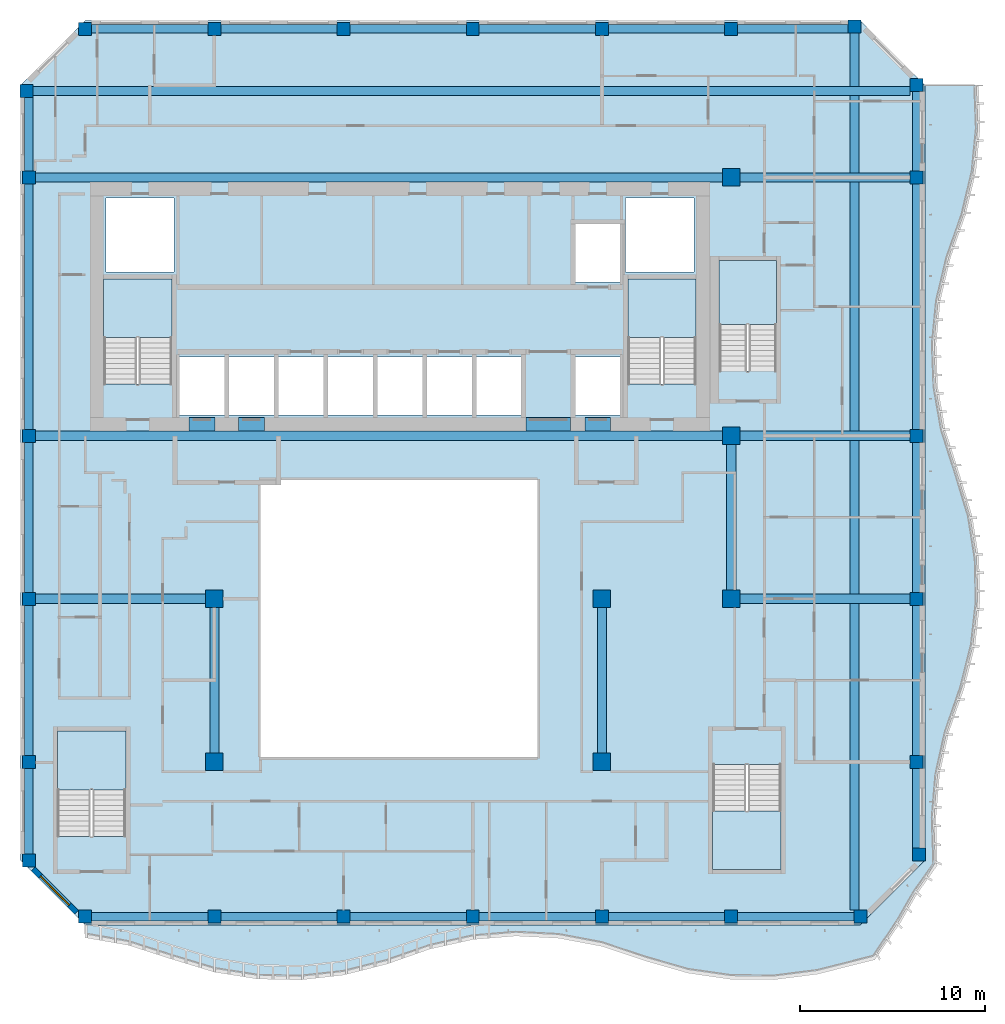
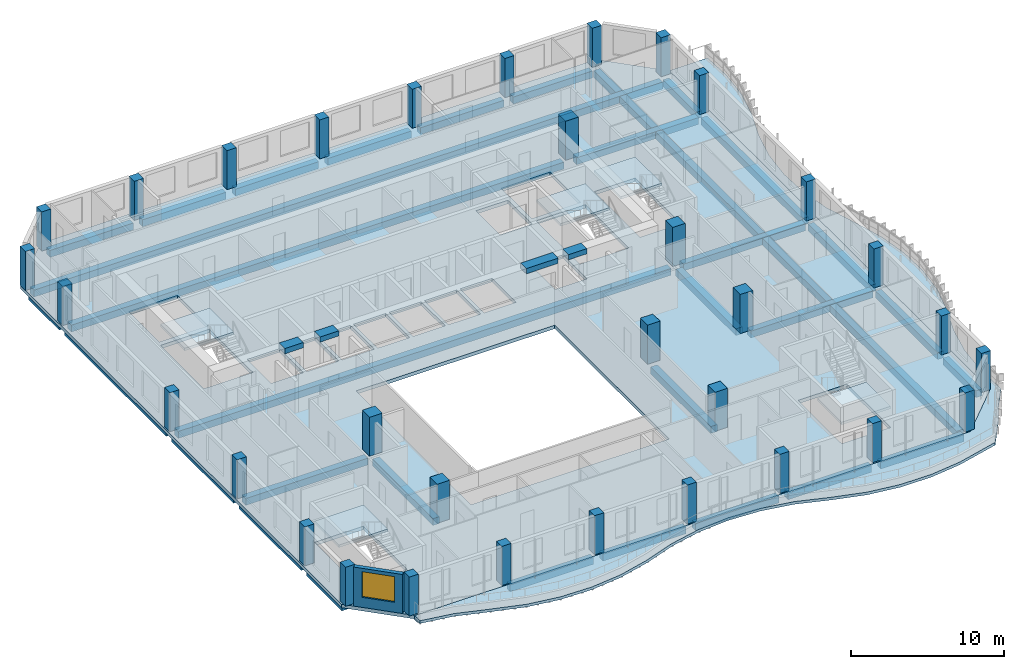
# One storey, part 1 of 19: 37 beams, 33 columns, 7 slabs, 1 wall, 1 window, 1 opening, 5 elements without a shape of their own.
"""IFC4 building model written with IfcOpenShell, lengths in metres."""

from ifc_helpers import new_model, si_unit, direction, frame, frame_2d, origin, origin_2d, place, context, subcontext, project, spatial, polyline, rectangle, outline, extrude, source, transform, mapped, material, layer, layer_set, material_profile, profile_set, type_object, element, fill, aggregate, save


model = new_model("IFC4")

# Units and contexts
model_context = context("Model", 3, precision=1e-05, world=origin(), true_north=direction((0.0, 1.0)))
body_context = subcontext(model_context, "Body", "Model", "MODEL_VIEW")
ifc_project = project(units=[si_unit("LENGTHUNIT", "METRE"), si_unit("AREAUNIT", "SQUARE_METRE"), si_unit("VOLUMEUNIT", "CUBIC_METRE"), si_unit("PLANEANGLEUNIT", "RADIAN"), si_unit("MASSUNIT", "GRAM", prefix="KILO")], contexts=[model_context])

# Site, building, storey
site_placement = place(None, origin())
site = spatial("IfcSite", under=ifc_project, at=site_placement, CompositionType="ELEMENT")
building_placement = place(site_placement, origin())
building = spatial("IfcBuilding", under=site, at=building_placement, Name="Kilnfold Tower and Market Hall", CompositionType="ELEMENT")
storey_placement = place(building_placement, frame((0.0, 0.0, 242.39990234375)))
storey = spatial("IfcBuildingStorey", under=building, at=storey_placement, Name="L58", CompositionType="ELEMENT", Elevation=242.39990234375)

# Columns
ifc_material_1 = material(Name="Concrete C60", Category="concrete")
ifc_material_profile_1 = material_profile(ifc_material_1, rectangle(XDim=0.699951171875, YDim=0.699951171875, at=origin_2d()), Name="RC 700x700")
ifc_profile_set_1 = profile_set([ifc_material_profile_1], Name="Concrete C60")
column_type_1 = type_object("IfcColumnType", Name="COLUMN 700X700 C60", PredefinedType="COLUMN", material=ifc_profile_set_1)
shared_shape_1 = source(origin(), body_context, "Body", "SweptSolid", [
    extrude(rectangle(XDim=0.699951171875, YDim=0.699951171875, at=origin_2d()), origin(), (0.0, 0.0, 1.0), 3.1201171875),
])
for number, where, z_axis, x_axis, name in (
    (1, (-19.181884765625, 26.681884765625, 0.0), (0.0, 0.0, 1.0), (1.0, 0.0, 0.0), "Column C-B7-1G"),
    (2, (-19.050048828125, -15.0, 0.0), (0.0, 0.0, 1.0), (1.0, 0.0, 0.0), "Column C-B7-1B"),
    (3, (-19.050048828125, -9.666748046875, 0.0), (0.0, 0.0, 1.0), (1.0, 0.0, 0.0), "Column C-B7-1C"),
    (4, (-19.050048828125, -0.833251953125, 0.0), (0.0, 0.0, 1.0), (1.0, 0.0, 0.0), "Column C-B7-1D"),
    (5, (-19.050048828125, 8.0, 0.0), (0.0, 0.0, 1.0), (1.0, 0.0, 0.0), "Column C-B7-1E"),
    (6, (-19.050048828125, 22.0, 0.0), (0.0, 0.0, 1.0), (1.0, 0.0, 0.0), "Column C-B7-1F"),
    (7, (-16.0, -18.050048828125, 0.0), (0.0, 0.0, 1.0), (1.0, 0.0, 0.0), "Column C-B7-2A"),
    (8, (-16.0, 30.050048828125, 0.0), (0.0, 0.0, 1.0), (1.0, 0.0, 0.0), "Column C-B7-2H"),
    (9, (-9.0, -18.050048828125, 0.0), (0.0, 0.0, 1.0), (1.0, 0.0, 0.0), "Column C-B7-3A"),
    (10, (-9.0, 30.050048828125, 0.0), (0.0, 0.0, 1.0), (1.0, 0.0, 0.0), "Column C-B7-3H"),
    (11, (-2.0, -18.050048828125, 0.0), (0.0, 0.0, 1.0), (1.0, 0.0, 0.0), "Column C-B7-4A"),
    (12, (-2.0, 30.050048828125, 0.0), (0.0, 0.0, 1.0), (1.0, 0.0, 0.0), "Column C-B7-4H"),
    (13, (5.0, -18.050048828125, 0.0), (0.0, 0.0, 1.0), (1.0, 0.0, 0.0), "Column C-B7-5A"),
    (14, (5.0, 30.050048828125, 0.0), (0.0, 0.0, 1.0), (1.0, 0.0, 0.0), "Column C-B7-5H"),
    (15, (12.0, -18.050048828125, 0.0), (0.0, 0.0, 1.0), (1.0, 0.0, 0.0), "Column C-B7-6A"),
    (16, (12.0, 30.050048828125, 0.0), (0.0, 0.0, 1.0), (1.0, 0.0, 0.0), "Column C-B7-6H"),
    (17, (19.0, -18.050048828125, 0.0), (0.0, 0.0, 1.0), (1.0, 0.0, 0.0), "Column C-B7-7A"),
    (18, (19.0, 30.050048828125, 0.0), (0.0, 0.0, 1.0), (1.0, 0.0, 0.0), "Column C-B7-7H"),
    (19, (25.681884765625, 30.181884765625, 0.0), (0.0, 0.0, 1.0), (1.0, 0.0, 0.0), "Column C-B7-8H"),
    (20, (26.0, -18.050048828125, 0.0), (0.0, 0.0, 1.0), (1.0, 0.0, 0.0), "Column C-B7-8A"),
    (21, (29.050048828125, -9.666748046875, 0.0), (0.0, 0.0, 1.0), (1.0, 0.0, 0.0), "Column C-B7-9C"),
    (22, (29.050048828125, -0.833251953125, 0.0), (0.0, 0.0, 1.0), (1.0, 0.0, 0.0), "Column C-B7-9D"),
    (23, (29.050048828125, 8.0, 0.0), (0.0, 0.0, 1.0), (1.0, 0.0, 0.0), "Column C-B7-9E"),
    (24, (29.050048828125, 22.0, 0.0), (0.0, 0.0, 1.0), (1.0, 0.0, 0.0), "Column C-B7-9F"),
    (25, (29.050048828125, 27.0, 0.0), (0.0, 0.0, 1.0), (1.0, 0.0, 0.0), "Column C-B7-9G"),
    (26, (29.181884765625, -14.681884765625, 0.0), (0.0, 0.0, 1.0), (1.0, 0.0, 0.0), "Column C-B7-9B"),
):
    element("IfcColumn", number, at=place(storey_placement, frame(where, z_axis=z_axis, x_axis=x_axis)), inside=storey, type_object=column_type_1, Name=name, PredefinedType="COLUMN", context=body_context, shape_type="MappedRepresentation", body=[
        mapped(shared_shape_1, transform((0.0, 0.0, 0.0))),
    ])
ifc_material_2 = material(Name="Concrete C60", Category="concrete")
ifc_material_profile_2 = material_profile(ifc_material_2, rectangle(XDim=0.949951171875, YDim=0.949951171875, at=origin_2d()), Name="RC 950x950")
ifc_profile_set_2 = profile_set([ifc_material_profile_2], Name="Concrete C60")
column_type_2 = type_object("IfcColumnType", Name="COLUMN 950X950 C60", PredefinedType="COLUMN", material=ifc_profile_set_2)
shared_shape_2 = source(origin(), body_context, "Body", "SweptSolid", [
    extrude(rectangle(XDim=0.949951171875, YDim=0.949951171875, at=origin_2d()), origin(), (0.0, 0.0, 1.0), 3.1201171875),
])
for number, where, z_axis, x_axis, name in (
    (27, (-9.0, -9.666748046875, 0.0), (0.0, 0.0, 1.0), (1.0, 0.0, 0.0), "Column C-B7-3C"),
    (28, (-9.0, -0.833251953125, 0.0), (0.0, 0.0, 1.0), (1.0, 0.0, 0.0), "Column C-B7-3D"),
    (29, (12.0, -9.666748046875, 0.0), (0.0, 0.0, 1.0), (1.0, 0.0, 0.0), "Column C-B7-6C"),
    (30, (12.0, -0.833251953125, 0.0), (0.0, 0.0, 1.0), (1.0, 0.0, 0.0), "Column C-B7-6D"),
    (31, (19.0, -0.833251953125, 0.0), (0.0, 0.0, 1.0), (1.0, 0.0, 0.0), "Column C-B7-7D"),
    (32, (19.0, 8.0, 0.0), (0.0, 0.0, 1.0), (1.0, 0.0, 0.0), "Column C-B7-7E"),
    (33, (19.0, 22.0, 0.0), (0.0, 0.0, 1.0), (1.0, 0.0, 0.0), "Column C-B7-7F"),
):
    element("IfcColumn", number, at=place(storey_placement, frame(where, z_axis=z_axis, x_axis=x_axis)), inside=storey, type_object=column_type_2, Name=name, PredefinedType="COLUMN", context=body_context, shape_type="MappedRepresentation", body=[
        mapped(shared_shape_2, transform((0.0, 0.0, 0.0))),
    ])

# Beams
ifc_material_3 = material(Name="Concrete C60", Category="concrete")
ifc_material_profile_3 = material_profile(ifc_material_3, rectangle(XDim=0.75, YDim=0.419921875, at=origin_2d()), Name="RC 750x420")
ifc_profile_set_3 = profile_set([ifc_material_profile_3], Name="Concrete C60")
beam_type_1 = type_object("IfcBeamType", Name="COUPLING BEAM 750X420 C60", PredefinedType="BEAM", material=ifc_profile_set_3)
shared_shape_3 = source(origin(), body_context, "Body", "SweptSolid", [
    extrude(rectangle(XDim=0.75, YDim=0.419921875, at=origin_2d()), origin(), (0.0, 0.0, 1.0), 1.400146484375),
])
beam_1_placement = place(storey_placement, frame((-10.3701171875, 8.625, 2.91015625), z_axis=(1.0, 0.0, 0.0), x_axis=(0.0, 1.0, 0.0)))
element("IfcBeam", 34, at=beam_1_placement, inside=storey, type_object=beam_type_1, Name="Coupling beam CB420-60-CORE.34", PredefinedType="BEAM", context=body_context, shape_type="MappedRepresentation", body=[
    mapped(shared_shape_3, transform((0.0, 0.0, 0.0))),
])
shared_shape_4 = source(origin(), body_context, "Body", "SweptSolid", [
    extrude(rectangle(XDim=0.75, YDim=0.419921875, at=origin_2d()), origin(), (0.0, 0.0, 1.0), 1.39990234375),
])
for number, where, z_axis, x_axis, name in (
    (35, (-7.68994140625, 8.625, 2.91015625), (1.0, 0.0, 0.0), (0.0, 1.0, 0.0), "Coupling beam CB420-60-CORE.35"),
    (36, (11.070068359375, 8.625, 2.91015625), (1.0, 0.0, 0.0), (0.0, 1.0, 0.0), "Coupling beam CB420-60-CORE.37"),
):
    element("IfcBeam", number, at=place(storey_placement, frame(where, z_axis=z_axis, x_axis=x_axis)), inside=storey, type_object=beam_type_1, Name=name, PredefinedType="BEAM", context=body_context, shape_type="MappedRepresentation", body=[
        mapped(shared_shape_4, transform((0.0, 0.0, 0.0))),
    ])
shared_shape_5 = source(origin(), body_context, "Body", "SweptSolid", [
    extrude(rectangle(XDim=0.75, YDim=0.419921875, at=origin_2d()), origin(), (0.0, 0.0, 1.0), 2.400146484375),
])
beam_2_placement = place(storey_placement, frame((7.889892578125, 8.625, 2.91015625), z_axis=(1.0, 0.0, 0.0), x_axis=(0.0, 1.0, 0.0)))
element("IfcBeam", 37, at=beam_2_placement, inside=storey, type_object=beam_type_1, Name="Coupling beam CB420-60-CORE.36", PredefinedType="BEAM", context=body_context, shape_type="MappedRepresentation", body=[
    mapped(shared_shape_5, transform((0.0, 0.0, 0.0))),
])
ifc_material_4 = material(Name="Concrete C45", Category="concrete")
ifc_material_profile_4 = material_profile(ifc_material_4, rectangle(XDim=0.449951171875, YDim=0.550048828125, at=origin_2d()), Name="RC 450x550")
ifc_profile_set_4 = profile_set([ifc_material_profile_4], Name="Concrete C45")
beam_type_2 = type_object("IfcBeamType", Name="EDGE BEAM 450X550 C45", PredefinedType="BEAM", material=ifc_profile_set_4)
shared_shape_6 = source(origin(), body_context, "Body", "SweptSolid", [
    extrude(rectangle(XDim=0.449951171875, YDim=0.550048828125, at=origin_2d()), origin(), (0.0, 0.0, 1.0), 13.2998046875),
])
for number, where, z_axis, x_axis, name in (
    (38, (-19.050048828125, 8.35009765625, -0.554931640625), (0.0, 1.0, 0.0), (-1.0, 0.0, 0.0), "Beam EB550-B7.50"),
    (39, (29.050048828125, 8.35009765625, -0.554931640625), (0.0, 1.0, 0.0), (-1.0, 0.0, 0.0), "Beam EB550-B7.58"),
):
    element("IfcBeam", number, at=place(storey_placement, frame(where, z_axis=z_axis, x_axis=x_axis)), inside=storey, type_object=beam_type_2, Name=name, PredefinedType="BEAM", context=body_context, shape_type="MappedRepresentation", body=[
        mapped(shared_shape_6, transform((0.0, 0.0, 0.0))),
    ])
shared_shape_7 = source(origin(), body_context, "Body", "SweptSolid", [
    extrude(rectangle(XDim=0.449951171875, YDim=0.550048828125, at=origin_2d()), origin(), (0.0, 0.0, 1.0), 6.2998046875),
])
for number, where, z_axis, x_axis, name in (
    (40, (-15.64990234375, -18.050048828125, -0.554931640625), (1.0, 0.0, 0.0), (0.0, 1.0, 0.0), "Beam EB550-B7.59"),
    (41, (-8.64990234375, -18.050048828125, -0.554931640625), (1.0, 0.0, 0.0), (0.0, 1.0, 0.0), "Beam EB550-B7.60"),
    (42, (-1.64990234375, -18.050048828125, -0.554931640625), (1.0, 0.0, 0.0), (0.0, 1.0, 0.0), "Beam EB550-B7.61"),
    (43, (5.35009765625, -18.050048828125, -0.554931640625), (1.0, 0.0, 0.0), (0.0, 1.0, 0.0), "Beam EB550-B7.62"),
    (44, (12.35009765625, -18.050048828125, -0.554931640625), (1.0, 0.0, 0.0), (0.0, 1.0, 0.0), "Beam EB550-B7.63"),
    (45, (19.35009765625, -18.050048828125, -0.554931640625), (1.0, 0.0, 0.0), (0.0, 1.0, 0.0), "Beam EB550-B7.64"),
    (46, (-15.64990234375, 30.050048828125, -0.554931640625), (1.0, 0.0, 0.0), (0.0, 1.0, 0.0), "Beam EB550-B7.72"),
    (47, (-8.64990234375, 30.050048828125, -0.554931640625), (1.0, 0.0, 0.0), (0.0, 1.0, 0.0), "Beam EB550-B7.73"),
    (48, (-1.64990234375, 30.050048828125, -0.554931640625), (1.0, 0.0, 0.0), (0.0, 1.0, 0.0), "Beam EB550-B7.74"),
    (49, (5.35009765625, 30.050048828125, -0.554931640625), (1.0, 0.0, 0.0), (0.0, 1.0, 0.0), "Beam EB550-B7.75"),
    (50, (12.35009765625, 30.050048828125, -0.554931640625), (1.0, 0.0, 0.0), (0.0, 1.0, 0.0), "Beam EB550-B7.76"),
):
    element("IfcBeam", number, at=place(storey_placement, frame(where, z_axis=z_axis, x_axis=x_axis)), inside=storey, type_object=beam_type_2, Name=name, PredefinedType="BEAM", context=body_context, shape_type="MappedRepresentation", body=[
        mapped(shared_shape_7, transform((0.0, 0.0, 0.0))),
    ])
ifc_material_5 = material(Name="Concrete C45", Category="concrete")
ifc_material_profile_5 = material_profile(ifc_material_5, rectangle(XDim=0.5, YDim=0.550048828125, at=origin_2d()), Name="RC 500x550")
ifc_profile_set_5 = profile_set([ifc_material_profile_5], Name="Concrete C45")
beam_type_3 = type_object("IfcBeamType", Name="BEAM 500X550 C45", PredefinedType="BEAM", material=ifc_profile_set_5)
shared_shape_8 = source(origin(), body_context, "Body", "SweptSolid", [
    extrude(rectangle(XDim=0.5, YDim=0.550048828125, at=origin_2d()), origin(), (0.0, 0.0, 1.0), 9.224853515625),
])
for number, where, z_axis, x_axis, name in (
    (51, (-18.699951171875, -0.830078125, -0.554931640625), (1.0, 0.0, 0.0), (0.0, 1.0, 0.0), "Beam BB550-B7.65"),
    (52, (19.47509765625, -0.830078125, -0.554931640625), (1.0, 0.0, 0.0), (0.0, 1.0, 0.0), "Beam BB550-B7.66"),
    (53, (19.47509765625, 8.0, -0.554931640625), (1.0, 0.0, 0.0), (0.0, 1.0, 0.0), "Beam BB550-B7.68"),
    (54, (19.47509765625, 22.0, -0.554931640625), (1.0, 0.0, 0.0), (0.0, 1.0, 0.0), "Beam BB550-B7.70"),
):
    element("IfcBeam", number, at=place(storey_placement, frame(where, z_axis=z_axis, x_axis=x_axis)), inside=storey, type_object=beam_type_3, Name=name, PredefinedType="BEAM", context=body_context, shape_type="MappedRepresentation", body=[
        mapped(shared_shape_8, transform((0.0, 0.0, 0.0))),
    ])
shared_shape_9 = source(origin(), body_context, "Body", "SweptSolid", [
    extrude(rectangle(XDim=0.5, YDim=0.550048828125, at=origin_2d()), origin(), (0.0, 0.0, 1.0), 37.224853515625),
])
for number, where, z_axis, x_axis, name in (
    (55, (-18.699951171875, 8.0, -0.554931640625), (1.0, 0.0, 0.0), (0.0, 1.0, 0.0), "Beam BB550-B7.67"),
    (56, (-18.699951171875, 22.0, -0.554931640625), (1.0, 0.0, 0.0), (0.0, 1.0, 0.0), "Beam BB550-B7.69"),
):
    element("IfcBeam", number, at=place(storey_placement, frame(where, z_axis=z_axis, x_axis=x_axis)), inside=storey, type_object=beam_type_3, Name=name, PredefinedType="BEAM", context=body_context, shape_type="MappedRepresentation", body=[
        mapped(shared_shape_9, transform((0.0, 0.0, 0.0))),
    ])
shared_shape_10 = source(origin(), body_context, "Body", "SweptSolid", [
    extrude(rectangle(XDim=0.5, YDim=0.550048828125, at=origin_2d()), origin(), (0.0, 0.0, 1.0), 47.53173828125),
])
for number, where, z_axis, x_axis, name in (
    (57, (-18.831787109375, 26.679931640625, -0.554931640625), (1.0, 0.0, 0.0), (0.0, 1.0, 0.0), "Beam BB550-B7.71"),
    (58, (25.679931640625, -17.699951171875, -0.554931640625), (0.0, 1.0, 0.0), (-1.0, 0.0, 0.0), "Beam BB550-B7.85"),
):
    element("IfcBeam", number, at=place(storey_placement, frame(where, z_axis=z_axis, x_axis=x_axis)), inside=storey, type_object=beam_type_3, Name=name, PredefinedType="BEAM", context=body_context, shape_type="MappedRepresentation", body=[
        mapped(shared_shape_10, transform((0.0, 0.0, 0.0))),
    ])
shared_shape_11 = source(origin(), body_context, "Body", "SweptSolid", [
    extrude(rectangle(XDim=0.449951171875, YDim=0.550048828125, at=origin_2d()), origin(), (0.0, 0.0, 1.0), 5.981689453125),
])
beam_3_placement = place(storey_placement, frame((19.35009765625, 30.050048828125, -0.554931640625), z_axis=(1.0, 0.0, 0.0), x_axis=(0.0, 1.0, 0.0)))
element("IfcBeam", 59, at=beam_3_placement, inside=storey, type_object=beam_type_2, Name="Beam EB550-B7.77", PredefinedType="BEAM", context=body_context, shape_type="MappedRepresentation", body=[
    mapped(shared_shape_11, transform((0.0, 0.0, 0.0))),
])
shared_shape_12 = source(origin(), body_context, "Body", "SweptSolid", [
    extrude(rectangle(XDim=0.449951171875, YDim=0.550048828125, at=origin_2d()), origin(), (0.0, 0.0, 1.0), 4.63330078125),
])
beam_4_placement = place(storey_placement, frame((-19.050048828125, -14.64990234375, -0.554931640625), z_axis=(0.0, 1.0, 0.0), x_axis=(-1.0, 0.0, 0.0)))
element("IfcBeam", 60, at=beam_4_placement, inside=storey, type_object=beam_type_2, Name="Beam EB550-B7.78", PredefinedType="BEAM", context=body_context, shape_type="MappedRepresentation", body=[
    mapped(shared_shape_12, transform((0.0, 0.0, 0.0))),
])
shared_shape_13 = source(origin(), body_context, "Body", "SweptSolid", [
    extrude(rectangle(XDim=0.449951171875, YDim=0.550048828125, at=origin_2d()), origin(), (0.0, 0.0, 1.0), 8.13330078125),
])
for number, where, z_axis, x_axis, name in (
    (61, (-19.050048828125, -9.316650390625, -0.554931640625), (0.0, 1.0, 0.0), (-1.0, 0.0, 0.0), "Beam EB550-B7.79"),
    (62, (-19.050048828125, -0.4833984375, -0.554931640625), (0.0, 1.0, 0.0), (-1.0, 0.0, 0.0), "Beam EB550-B7.80"),
    (63, (29.050048828125, -9.316650390625, -0.554931640625), (0.0, 1.0, 0.0), (-1.0, 0.0, 0.0), "Beam EB550-B7.87"),
    (64, (29.050048828125, -0.4833984375, -0.554931640625), (0.0, 1.0, 0.0), (-1.0, 0.0, 0.0), "Beam EB550-B7.88"),
):
    element("IfcBeam", number, at=place(storey_placement, frame(where, z_axis=z_axis, x_axis=x_axis)), inside=storey, type_object=beam_type_2, Name=name, PredefinedType="BEAM", context=body_context, shape_type="MappedRepresentation", body=[
        mapped(shared_shape_13, transform((0.0, 0.0, 0.0))),
    ])
shared_shape_14 = source(origin(), body_context, "Body", "SweptSolid", [
    extrude(rectangle(XDim=0.449951171875, YDim=0.550048828125, at=origin_2d()), origin(), (0.0, 0.0, 1.0), 3.981689453125),
])
beam_5_placement = place(storey_placement, frame((-19.050048828125, 22.35009765625, -0.554931640625), z_axis=(0.0, 1.0, 0.0), x_axis=(-1.0, 0.0, 0.0)))
element("IfcBeam", 65, at=beam_5_placement, inside=storey, type_object=beam_type_2, Name="Beam EB550-B7.81", PredefinedType="BEAM", context=body_context, shape_type="MappedRepresentation", body=[
    mapped(shared_shape_14, transform((0.0, 0.0, 0.0))),
])
shared_shape_15 = source(origin(), body_context, "Body", "SweptSolid", [
    extrude(rectangle(XDim=0.5, YDim=0.550048828125, at=origin_2d()), origin(), (0.0, 0.0, 1.0), 7.88330078125),
])
for number, where, z_axis, x_axis, name in (
    (66, (-9.0, -9.191650390625, -0.554931640625), (0.0, 1.0, 0.0), (-1.0, 0.0, 0.0), "Beam BB550-B7.82"),
    (67, (12.0, -9.191650390625, -0.554931640625), (0.0, 1.0, 0.0), (-1.0, 0.0, 0.0), "Beam BB550-B7.83"),
    (68, (19.0, -0.3583984375, -0.554931640625), (0.0, 1.0, 0.0), (-1.0, 0.0, 0.0), "Beam BB550-B7.84"),
):
    element("IfcBeam", number, at=place(storey_placement, frame(where, z_axis=z_axis, x_axis=x_axis)), inside=storey, type_object=beam_type_3, Name=name, PredefinedType="BEAM", context=body_context, shape_type="MappedRepresentation", body=[
        mapped(shared_shape_15, transform((0.0, 0.0, 0.0))),
    ])
shared_shape_16 = source(origin(), body_context, "Body", "SweptSolid", [
    extrude(rectangle(XDim=0.449951171875, YDim=0.550048828125, at=origin_2d()), origin(), (0.0, 0.0, 1.0), 4.315185546875),
])
beam_6_placement = place(storey_placement, frame((29.050048828125, -14.331787109375, -0.554931640625), z_axis=(0.0, 1.0, 0.0), x_axis=(-1.0, 0.0, 0.0)))
element("IfcBeam", 69, at=beam_6_placement, inside=storey, type_object=beam_type_2, Name="Beam EB550-B7.86", PredefinedType="BEAM", context=body_context, shape_type="MappedRepresentation", body=[
    mapped(shared_shape_16, transform((0.0, 0.0, 0.0))),
])
shared_shape_17 = source(origin(), body_context, "Body", "SweptSolid", [
    extrude(rectangle(XDim=0.449951171875, YDim=0.550048828125, at=origin_2d()), origin(), (0.0, 0.0, 1.0), 4.2998046875),
])
beam_7_placement = place(storey_placement, frame((29.050048828125, 22.35009765625, -0.554931640625), z_axis=(0.0, 1.0, 0.0), x_axis=(-1.0, 0.0, 0.0)))
element("IfcBeam", 70, at=beam_7_placement, inside=storey, type_object=beam_type_2, Name="Beam EB550-B7.89", PredefinedType="BEAM", context=body_context, shape_type="MappedRepresentation", body=[
    mapped(shared_shape_17, transform((0.0, 0.0, 0.0))),
])

# Slabs
ifc_material_6 = material(Name="Concrete C45", Category="concrete")
ifc_layer_1 = layer(ifc_material_6, 0.280029296875)
ifc_layer_set_1 = layer_set([ifc_layer_1], Name="Concrete C45")
slab_type_1 = type_object("IfcSlabType", Name="FLOOR SLAB 280", PredefinedType="FLOOR", material=ifc_layer_set_1)
shared_shape_18 = source(origin(), body_context, "Body", "SweptSolid", [
    extrude(outline(polyline([(-16.0, -18.5), (26.0, -18.5), (29.5, -15.0), (29.5, 27.0), (26.0, 30.5), (-16.0, 30.5), (-19.5, 27.0), (-19.5, -15.0), (-16.0, -18.5)]), holes=[polyline([(-13.800537109375, -13.699462890625), (-17.49951171875, -13.699462890625), (-17.49951171875, -8.00048828125), (-13.800537109375, -8.00048828125), (-13.800537109375, -13.699462890625)]), polyline([(-11.300537109375, 10.800537109375), (-14.99951171875, 10.800537109375), (-14.99951171875, 16.49951171875), (-11.300537109375, 16.49951171875), (-11.300537109375, 10.800537109375)]), polyline([(-11.175048828125, 16.875), (-14.875, 16.875), (-14.875, 20.875), (-11.175048828125, 20.875), (-11.175048828125, 16.875)]), polyline([(-8.455078125, 9.125), (-10.885009765625, 9.125), (-10.885009765625, 12.27490234375), (-8.455078125, 12.27490234375), (-8.455078125, 9.125)]), polyline([(-5.77490234375, 9.125), (-8.205078125, 9.125), (-8.205078125, 12.27490234375), (-5.77490234375, 12.27490234375), (-5.77490234375, 9.125)]), polyline([(8.5, -9.39990234375), (-6.5, -9.39990234375), (-6.5, 5.60009765625), (8.5, 5.60009765625), (8.5, -9.39990234375)]), polyline([(-3.094970703125, 9.125), (-5.52490234375, 9.125), (-5.52490234375, 12.27490234375), (-3.094970703125, 12.27490234375), (-3.094970703125, 9.125)]), polyline([(-0.4150390625, 9.125), (-2.844970703125, 9.125), (-2.844970703125, 12.27490234375), (-0.4150390625, 12.27490234375), (-0.4150390625, 9.125)]), polyline([(2.264892578125, 9.125), (-0.1650390625, 9.125), (-0.1650390625, 12.27490234375), (2.264892578125, 12.27490234375), (2.264892578125, 9.125)]), polyline([(4.945068359375, 9.125), (2.514892578125, 9.125), (2.514892578125, 12.27490234375), (4.945068359375, 12.27490234375), (4.945068359375, 9.125)]), polyline([(7.625, 9.125), (5.195068359375, 9.125), (5.195068359375, 12.27490234375), (7.625, 12.27490234375), (7.625, 9.125)]), polyline([(12.985107421875, 9.125), (10.554931640625, 9.125), (10.554931640625, 12.27490234375), (12.985107421875, 12.27490234375), (12.985107421875, 9.125)]), polyline([(10.554931640625, 16.324951171875), (10.554931640625, 19.47509765625), (12.985107421875, 19.47509765625), (12.985107421875, 16.324951171875), (10.554931640625, 16.324951171875)]), polyline([(13.27490234375, 16.875), (13.27490234375, 20.875), (16.97509765625, 20.875), (16.97509765625, 16.875), (13.27490234375, 16.875)]), polyline([(17.099609375, 10.800537109375), (13.400390625, 10.800537109375), (13.400390625, 16.49951171875), (17.099609375, 16.49951171875), (17.099609375, 10.800537109375)]), polyline([(18.00048828125, -9.800537109375), (21.699462890625, -9.800537109375), (21.699462890625, -15.49951171875), (18.00048828125, -15.49951171875), (18.00048828125, -9.800537109375)]), polyline([(21.449462890625, 11.50048828125), (18.3505859375, 11.50048828125), (18.3505859375, 17.49951171875), (21.449462890625, 17.49951171875), (21.449462890625, 11.50048828125)])]), origin(), (0.0, 0.0, 1.0), 0.280029296875),
])
slab_1_placement = place(storey_placement, frame((0.0, 0.0, -0.280029296875)))
element("IfcSlab", 71, at=slab_1_placement, inside=storey, type_object=slab_type_1, Name="Floor slab L58", PredefinedType="FLOOR", context=body_context, shape_type="MappedRepresentation", body=[
    mapped(shared_shape_18, transform((0.0, 0.0, 0.0))),
])
ifc_material_7 = material(Name="Concrete C40/50", Category="concrete")
ifc_layer_2 = layer(ifc_material_7, 0.219970703125)
ifc_layer_set_2 = layer_set([ifc_layer_2], Name="Concrete C40/50")
slab_type_2 = type_object("IfcSlabType", Name="BALCONY SLAB 220", PredefinedType="FLOOR", material=ifc_layer_set_2)
shared_shape_19 = source(origin(), body_context, "Body", "SweptSolid", [
    extrude(outline(polyline([(-16.0, -18.5), (26.0, -18.5), (29.5, -15.0), (29.5, 27.0), (32.4052734375, 27.0), (32.4921875, 24.666748046875), (32.26513671875, 22.333251953125), (31.71044921875, 20.0), (30.890869140625, 17.666748046875), (30.335693359375, 15.333251953125), (30.10791015625, 13.0), (30.1943359375, 10.666748046875), (30.60009765625, 8.333251953125), (31.347900390625, 6.0), (32.05859375, 3.666748046875), (32.4296875, 1.333251953125), (32.48291015625, -1.0), (32.22119140625, -3.333251953125), (31.629638671875, -5.666748046875), (30.814208984375, -8.0), (30.295654296875, -10.333251953125), (30.10205078125, -12.666748046875), (30.16748046875, -15.276611328125), (29.040771484375, -16.8740234375), (28.189208984375, -18.35595703125), (26.781982421875, -20.3876953125), (23.666748046875, -21.1728515625), (21.333251953125, -21.4697265625), (19.0, -21.450927734375), (16.666748046875, -21.115478515625), (14.333251953125, -20.444091796875), (12.0, -19.6650390625), (9.666748046875, -19.22314453125), (7.333251953125, -19.10205078125), (5.0, -19.294921875), (2.666748046875, -19.812744140625), (0.333251953125, -20.62841796875), (-2.0, -21.220458984375), (-4.333251953125, -21.48291015625), (-6.666748046875, -21.43017578125), (-9.0, -21.059814453125), (-11.333251953125, -20.349609375), (-13.666748046875, -19.601318359375), (-16.0, -19.19482421875), (-16.0, -18.5)])), origin(), (0.0, 0.0, 1.0), 0.219970703125),
])
slab_2_placement = place(storey_placement, frame((0.0, 0.0, -0.219970703125)))
element("IfcSlab", 72, at=slab_2_placement, inside=storey, type_object=slab_type_2, Name="Balcony slab L58", PredefinedType="FLOOR", context=body_context, shape_type="MappedRepresentation", body=[
    mapped(shared_shape_19, transform((0.0, 0.0, 0.0))),
])

# Stair, slab
ifc_material_8 = material(Name="Concrete C40/50", Category="concrete")
stair_type_1 = type_object("IfcStairType", Name="CORE STAIR 1800", PredefinedType="HALF_TURN_STAIR", material=ifc_material_8)
stair_1_placement = place(storey_placement, origin())
stair_1 = element("IfcStair", 73, at=stair_1_placement, inside=storey, type_object=stair_type_1, Name="L58 ST1", PredefinedType="HALF_TURN_STAIR")
ifc_material_9 = material(Name="Concrete C40/50", Category="concrete")
ifc_layer_3 = layer(ifc_material_9, 0.199951171875)
ifc_layer_set_3 = layer_set([ifc_layer_3], Name="Concrete C40/50")
slab_type_3 = type_object("IfcSlabType", Name="CORE STAIR LANDING 200", PredefinedType="LANDING", material=ifc_layer_set_3)
shared_shape_20 = source(origin(), body_context, "Body", "SweptSolid", [
    extrude(outline(polyline([(-11.300048828125, 13.320068359375), (-11.300048828125, 16.5), (-15.0, 16.5), (-15.0, 13.320068359375), (-11.300048828125, 13.320068359375)])), origin(), (0.0, 0.0, 1.0), 0.2001953125),
])
slab_3_placement = place(storey_placement, frame((0.0, 0.0, 1.5)))
slab_3 = element("IfcSlab", 74, at=slab_3_placement, type_object=slab_type_3, Name="ST1 landing 1", PredefinedType="LANDING", context=body_context, shape_type="MappedRepresentation", body=[
    mapped(shared_shape_20, transform((0.0, 0.0, 0.0))),
])
aggregate(stair_1, [slab_3])

stair_2_placement = place(storey_placement, origin())
stair_2 = element("IfcStair", 75, at=stair_2_placement, inside=storey, type_object=stair_type_1, Name="L58 ST2", PredefinedType="HALF_TURN_STAIR")
shared_shape_21 = source(origin(), body_context, "Body", "SweptSolid", [
    extrude(outline(polyline([(17.10009765625, 13.320068359375), (17.10009765625, 16.5), (13.39990234375, 16.5), (13.39990234375, 13.320068359375), (17.10009765625, 13.320068359375)])), origin(), (0.0, 0.0, 1.0), 0.2001953125),
])
slab_4_placement = place(storey_placement, frame((0.0, 0.0, 1.5)))
slab_4 = element("IfcSlab", 76, at=slab_4_placement, type_object=slab_type_3, Name="ST2 landing 1", PredefinedType="LANDING", context=body_context, shape_type="MappedRepresentation", body=[
    mapped(shared_shape_21, transform((0.0, 0.0, 0.0))),
])
aggregate(stair_2, [slab_4])

stair_3_placement = place(storey_placement, origin())
stair_3 = element("IfcStair", 77, at=stair_3_placement, inside=storey, type_object=stair_type_1, Name="L58 ST3", PredefinedType="HALF_TURN_STAIR")
shared_shape_22 = source(origin(), body_context, "Body", "SweptSolid", [
    extrude(outline(polyline([(-13.800048828125, -11.179931640625), (-13.800048828125, -8.0), (-17.5, -8.0), (-17.5, -11.179931640625), (-13.800048828125, -11.179931640625)])), origin(), (0.0, 0.0, 1.0), 0.2001953125),
])
slab_5_placement = place(storey_placement, frame((0.0, 0.0, 1.5)))
slab_5 = element("IfcSlab", 78, at=slab_5_placement, type_object=slab_type_3, Name="ST3 landing 1", PredefinedType="LANDING", context=body_context, shape_type="MappedRepresentation", body=[
    mapped(shared_shape_22, transform((0.0, 0.0, 0.0))),
])
aggregate(stair_3, [slab_5])

stair_4_placement = place(storey_placement, origin())
stair_4 = element("IfcStair", 79, at=stair_4_placement, inside=storey, type_object=stair_type_1, Name="L58 ST4", PredefinedType="HALF_TURN_STAIR")
shared_shape_23 = source(origin(), body_context, "Body", "SweptSolid", [
    extrude(outline(polyline([(18.0, -12.320068359375), (18.0, -15.5), (21.699951171875, -15.5), (21.699951171875, -12.320068359375), (18.0, -12.320068359375)])), origin(), (0.0, 0.0, 1.0), 0.2001953125),
])
slab_6_placement = place(storey_placement, frame((0.0, 0.0, 1.5)))
slab_6 = element("IfcSlab", 80, at=slab_6_placement, type_object=slab_type_3, Name="ST4 landing 1", PredefinedType="LANDING", context=body_context, shape_type="MappedRepresentation", body=[
    mapped(shared_shape_23, transform((0.0, 0.0, 0.0))),
])
aggregate(stair_4, [slab_6])

ifc_material_10 = material(Name="Concrete C40/50", Category="concrete")
stair_type_2 = type_object("IfcStairType", Name="CORE STAIR 1500", PredefinedType="HALF_TURN_STAIR", material=ifc_material_10)
stair_5_placement = place(storey_placement, origin())
stair_5 = element("IfcStair", 81, at=stair_5_placement, inside=storey, type_object=stair_type_2, Name="L58 ST5", PredefinedType="HALF_TURN_STAIR")
shared_shape_24 = source(origin(), body_context, "Body", "SweptSolid", [
    extrude(outline(polyline([(21.449951171875, 14.02001953125), (21.449951171875, 17.5), (18.35009765625, 17.5), (18.35009765625, 14.02001953125), (21.449951171875, 14.02001953125)])), origin(), (0.0, 0.0, 1.0), 0.2001953125),
])
slab_7_placement = place(storey_placement, frame((0.0, 0.0, 1.5)))
slab_7 = element("IfcSlab", 82, at=slab_7_placement, type_object=slab_type_3, Name="ST5 landing 1", PredefinedType="LANDING", context=body_context, shape_type="MappedRepresentation", body=[
    mapped(shared_shape_24, transform((0.0, 0.0, 0.0))),
])
aggregate(stair_5, [slab_7])

# Wall, opening, window
ifc_material_11 = material(Name="Precast concrete C50/60", Category="concrete")
ifc_layer_4 = layer(ifc_material_11, 0.300048828125)
ifc_layer_set_4 = layer_set([ifc_layer_4], Name="Precast concrete C50/60")
wall_type = type_object("IfcWallType", Name="PRECAST WALL 300", PredefinedType="SOLIDWALL", material=ifc_layer_set_4)
shared_shape_25 = source(origin(), body_context, "Body", "SweptSolid", [
    extrude(rectangle(XDim=3.323486328125, YDim=0.300048828125, at=frame_2d((1.66162109375, 0.0))), origin(), (0.0, 0.0, 1.0), 3.1201171875),
])
wall_placement = place(storey_placement, frame((-18.81884765625, -15.468994140625, 0.0), z_axis=(0.0, 0.0, 1.0), x_axis=(0.707070049321, -0.707143511144, 0.0)))
wall = element("IfcWall", 83, at=wall_placement, inside=storey, type_object=wall_type, Name="External wall L58 SW", PredefinedType="SOLIDWALL", context=body_context, shape_type="MappedRepresentation", body=[
    mapped(shared_shape_25, transform((0.0, 0.0, 0.0))),
])
opening_placement = place(wall_placement, frame((0.561767578125, 0.0, 0.800048828125)))
opening = element("IfcOpeningElement", 84, at=opening_placement, cuts=wall, Name="Opening W3", PredefinedType="OPENING", context=body_context, shape_type="SweptSolid", body=[
    extrude(rectangle(XDim=2.199951171875, YDim=2.050048828125, at=frame_2d((1.10009765625, 1.02490234375))), frame((0.0, 0.16015625, 0.0), z_axis=(0.0, -1.0, 0.0), x_axis=(1.0, 0.0, 0.0)), (0.0, 0.0, 1.0), 0.320068359375),
])
ifc_material_12 = material(Name="Aluminium frame and double glazing", Category="aluminium")
window_type = type_object("IfcWindowType", Name="WINDOW W3 2200X2050", PartitioningType="SINGLE_PANEL", PredefinedType="WINDOW", material=ifc_material_12)
window_placement = place(opening_placement, origin())
window = element("IfcWindow", 85, at=window_placement, inside=storey, type_object=window_type, Name="Window W3 L58 SW-1", OverallHeight=2.050048828125, OverallWidth=2.199951171875, PartitioningType="SINGLE_PANEL", PredefinedType="WINDOW", context=body_context, shape_type="SweptSolid", body=[
    extrude(rectangle(XDim=2.199951171875, YDim=2.050048828125, at=frame_2d((1.10009765625, 1.02490234375))), frame((0.0, 0.030029296875, 0.0), z_axis=(0.0, -1.0, 0.0), x_axis=(1.0, 0.0, 0.0)), (0.0, 0.0, 1.0), 0.06005859375),
])
fill(opening, window)

save(model, "model.ifc")
